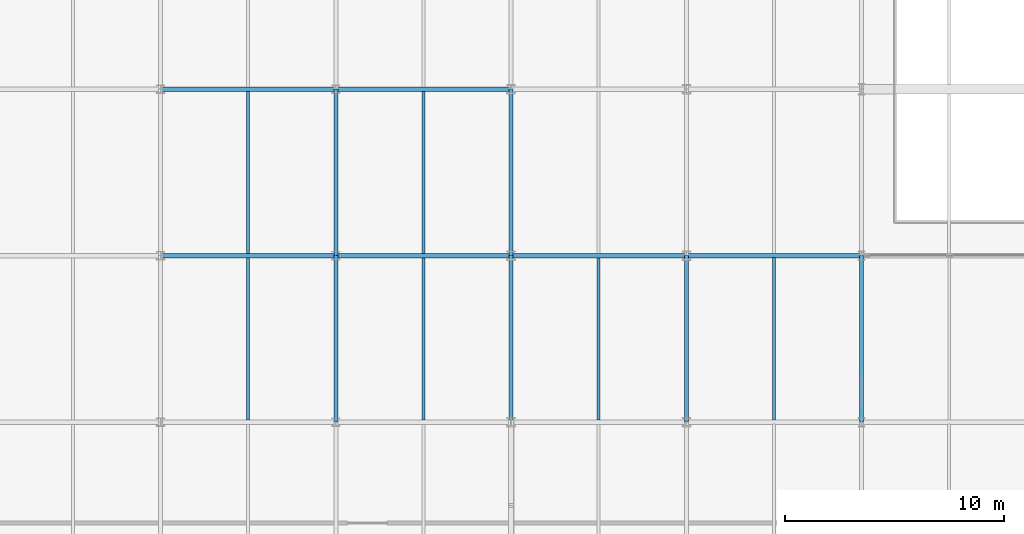
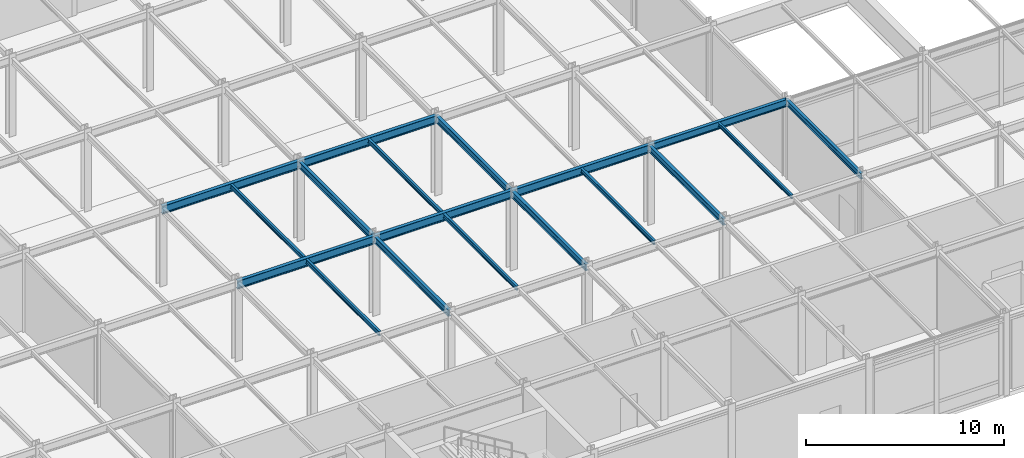
# One storey, part 24 of 79: 18 beams.
"""IFC4 building model written with IfcOpenShell, lengths in metres."""

from ifc_helpers import new_model, si_unit, direction, frame, origin, origin_2d, place, context, subcontext, project, spatial, i_section, extrude, material, material_profile, profile_set, type_object, element, save


model = new_model("IFC4")

# Units and contexts
model_context = context("Model", 3, precision=1e-05, world=origin(), true_north=direction((0.0, 1.0)))
body_context = subcontext(model_context, "Body", "Model", "MODEL_VIEW")
ifc_project = project(units=[si_unit("LENGTHUNIT", "METRE"), si_unit("AREAUNIT", "SQUARE_METRE"), si_unit("VOLUMEUNIT", "CUBIC_METRE"), si_unit("PLANEANGLEUNIT", "RADIAN"), si_unit("MASSUNIT", "GRAM", prefix="KILO")], contexts=[model_context])

# Site, building, storey
site_placement = place(None, origin())
site = spatial("IfcSite", under=ifc_project, at=site_placement, CompositionType="ELEMENT")
building_placement = place(site_placement, origin())
building = spatial("IfcBuilding", under=site, at=building_placement, Name="Shalkamar Park Central Library", CompositionType="ELEMENT")
storey_placement = place(building_placement, frame((0.0, 0.0, 10.5)))
storey = spatial("IfcBuildingStorey", under=building, at=storey_placement, Name="L03", CompositionType="ELEMENT", Elevation=10.5)

# Beams
ifc_material = material(Name="Steel S355", Category="steel")
ifc_material_profile_1 = material_profile(ifc_material, i_section(OverallWidth=0.1201171875, OverallDepth=0.239990234375, WebThickness=0.006103515625, FlangeThickness=0.009765625, FilletRadius=0.014892578125, at=origin_2d()), Name="IPE 240")
ifc_profile_set_1 = profile_set([ifc_material_profile_1], Name="Steel S355")
beam_type_1 = type_object("IfcBeamType", Name="Composite Floor Joist IPE240", PredefinedType="JOIST", material=ifc_profile_set_1)
beam_1_placement = place(storey_placement, frame((225.0, 262.89306640625, 4.719970703125), z_axis=(0.0, 1.0, 0.0), x_axis=(-1.0, 0.0, 0.0)))
element("IfcBeam", 1, at=beam_1_placement, inside=storey, type_object=beam_type_1, Name="Composite Joist 14/D-1 (L03)", PredefinedType="JOIST", context=body_context, shape_type="SweptSolid", body=[
    extrude(i_section(OverallWidth=0.1201171875, OverallDepth=0.239990234375, WebThickness=0.006103515625, FlangeThickness=0.009765625, FilletRadius=0.014892578125, at=origin_2d()), origin(), (0.0, 0.0, 1.0), 7.413818359375),
])
ifc_material_profile_2 = material_profile(ifc_material, i_section(OverallWidth=0.135009765625, OverallDepth=0.27001953125, WebThickness=0.006591796875, FlangeThickness=0.01025390625, FilletRadius=0.014892578125, at=origin_2d()), Name="IPE 270")
ifc_profile_set_2 = profile_set([ifc_material_profile_2], Name="Steel S355")
beam_type_2 = type_object("IfcBeamType", Name="Composite Floor Joist IPE270", PredefinedType="JOIST", material=ifc_profile_set_2)
for number, where, z_axis, x_axis, name in (
    (2, (201.0, 262.89794921875, 4.705078125), (0.0, 1.0, 0.0), (-1.0, 0.0, 0.0), "Composite Joist 11/D-1 (L03)"),
    (3, (201.0, 270.498046875, 4.705078125), (0.0, 1.0, 0.0), (-1.0, 0.0, 0.0), "Composite Joist 11/E-1 (L03)"),
    (4, (209.0, 262.89794921875, 4.705078125), (0.0, 1.0, 0.0), (-1.0, 0.0, 0.0), "Composite Joist 12/D-1 (L03)"),
    (5, (209.0, 270.498046875, 4.705078125), (0.0, 1.0, 0.0), (-1.0, 0.0, 0.0), "Composite Joist 12/E-1 (L03)"),
    (6, (217.0, 262.89794921875, 4.705078125), (0.0, 1.0, 0.0), (-1.0, 0.0, 0.0), "Composite Joist 13/D-1 (L03)"),
):
    element("IfcBeam", number, at=place(storey_placement, frame(where, z_axis=z_axis, x_axis=x_axis)), inside=storey, type_object=beam_type_2, Name=name, PredefinedType="JOIST", context=body_context, shape_type="SweptSolid", body=[
        extrude(i_section(OverallWidth=0.135009765625, OverallDepth=0.27001953125, WebThickness=0.006591796875, FlangeThickness=0.01025390625, FilletRadius=0.014892578125, at=origin_2d()), origin(), (0.0, 0.0, 1.0), 7.404052734375),
    ])
ifc_material_profile_3 = material_profile(ifc_material, i_section(OverallWidth=0.169921875, OverallDepth=0.360107421875, WebThickness=0.008056640625, FlangeThickness=0.0126953125, FilletRadius=0.01806640625, at=origin_2d()), Name="IPE 360")
ifc_profile_set_3 = profile_set([ifc_material_profile_3], Name="Steel S355")
beam_type_3 = type_object("IfcBeamType", Name="Primary Girder IPE360", PredefinedType="BEAM", material=ifc_profile_set_3)
beam_2_placement = place(storey_placement, frame((229.0, 262.800048828125, 4.659912109375), z_axis=(0.0, 1.0, 0.0), x_axis=(-1.0, 0.0, 0.0)))
element("IfcBeam", 7, at=beam_2_placement, inside=storey, type_object=beam_type_3, Name="Beam 15:D-E (L03)", PredefinedType="BEAM", context=body_context, shape_type="SweptSolid", body=[
    extrude(i_section(OverallWidth=0.169921875, OverallDepth=0.360107421875, WebThickness=0.008056640625, FlangeThickness=0.0126953125, FilletRadius=0.01806640625, at=origin_2d()), origin(), (0.0, 0.0, 1.0), 7.599853515625),
])
ifc_material_profile_4 = material_profile(ifc_material, i_section(OverallWidth=0.179931640625, OverallDepth=0.39990234375, WebThickness=0.008544921875, FlangeThickness=0.013427734375, FilletRadius=0.02099609375, at=origin_2d()), Name="IPE 400")
ifc_profile_set_4 = profile_set([ifc_material_profile_4], Name="Steel S355")
beam_type_4 = type_object("IfcBeamType", Name="Primary Girder IPE400", PredefinedType="BEAM", material=ifc_profile_set_4)
beam_3_placement = place(storey_placement, frame((205.0, 262.800048828125, 4.639892578125), z_axis=(0.0, 1.0, 0.0), x_axis=(-1.0, 0.0, 0.0)))
element("IfcBeam", 8, at=beam_3_placement, inside=storey, type_object=beam_type_4, Name="Beam 12:D-E (L03)", PredefinedType="BEAM", context=body_context, shape_type="SweptSolid", body=[
    extrude(i_section(OverallWidth=0.179931640625, OverallDepth=0.39990234375, WebThickness=0.008544921875, FlangeThickness=0.013427734375, FilletRadius=0.02099609375, at=origin_2d()), origin(), (0.0, 0.0, 1.0), 7.599853515625),
])
beam_4_placement = place(storey_placement, frame((205.0, 270.39990234375, 4.639892578125), z_axis=(0.0, 1.0, 0.0), x_axis=(-1.0, 0.0, 0.0)))
element("IfcBeam", 9, at=beam_4_placement, inside=storey, type_object=beam_type_4, Name="Beam 12:E-F (L03)", PredefinedType="BEAM", context=body_context, shape_type="SweptSolid", body=[
    extrude(i_section(OverallWidth=0.179931640625, OverallDepth=0.39990234375, WebThickness=0.008544921875, FlangeThickness=0.013427734375, FilletRadius=0.02099609375, at=origin_2d()), origin(), (0.0, 0.0, 1.0), 7.60009765625),
])
beam_5_placement = place(storey_placement, frame((213.0, 262.800048828125, 4.639892578125), z_axis=(0.0, 1.0, 0.0), x_axis=(-1.0, 0.0, 0.0)))
element("IfcBeam", 10, at=beam_5_placement, inside=storey, type_object=beam_type_4, Name="Beam 13:D-E (L03)", PredefinedType="BEAM", context=body_context, shape_type="SweptSolid", body=[
    extrude(i_section(OverallWidth=0.179931640625, OverallDepth=0.39990234375, WebThickness=0.008544921875, FlangeThickness=0.013427734375, FilletRadius=0.02099609375, at=origin_2d()), origin(), (0.0, 0.0, 1.0), 7.599853515625),
])
beam_6_placement = place(storey_placement, frame((213.0, 270.39990234375, 4.639892578125), z_axis=(0.0, 1.0, 0.0), x_axis=(-1.0, 0.0, 0.0)))
element("IfcBeam", 11, at=beam_6_placement, inside=storey, type_object=beam_type_4, Name="Beam 13:E-F (L03)", PredefinedType="BEAM", context=body_context, shape_type="SweptSolid", body=[
    extrude(i_section(OverallWidth=0.179931640625, OverallDepth=0.39990234375, WebThickness=0.008544921875, FlangeThickness=0.013427734375, FilletRadius=0.02099609375, at=origin_2d()), origin(), (0.0, 0.0, 1.0), 7.60009765625),
])
beam_7_placement = place(storey_placement, frame((221.0, 262.800048828125, 4.639892578125), z_axis=(0.0, 1.0, 0.0), x_axis=(-1.0, 0.0, 0.0)))
element("IfcBeam", 12, at=beam_7_placement, inside=storey, type_object=beam_type_4, Name="Beam 14:D-E (L03)", PredefinedType="BEAM", context=body_context, shape_type="SweptSolid", body=[
    extrude(i_section(OverallWidth=0.179931640625, OverallDepth=0.39990234375, WebThickness=0.008544921875, FlangeThickness=0.013427734375, FilletRadius=0.02099609375, at=origin_2d()), origin(), (0.0, 0.0, 1.0), 7.599853515625),
])
ifc_material_profile_5 = material_profile(ifc_material, i_section(OverallWidth=0.18994140625, OverallDepth=0.449951171875, WebThickness=0.009521484375, FlangeThickness=0.0146484375, FilletRadius=0.02099609375, at=origin_2d()), Name="IPE 450")
ifc_profile_set_5 = profile_set([ifc_material_profile_5], Name="Steel S355")
beam_type_5 = type_object("IfcBeamType", Name="Primary Girder IPE450", PredefinedType="BEAM", material=ifc_profile_set_5)
beam_8_placement = place(storey_placement, frame((221.0, 270.39990234375, 4.614990234375), z_axis=(1.0, 0.0, 0.0), x_axis=(0.0, 1.0, 0.0)))
element("IfcBeam", 13, at=beam_8_placement, inside=storey, type_object=beam_type_5, Name="Beam E:14-15 (L03)", PredefinedType="BEAM", context=body_context, shape_type="SweptSolid", body=[
    extrude(i_section(OverallWidth=0.18994140625, OverallDepth=0.449951171875, WebThickness=0.009521484375, FlangeThickness=0.0146484375, FilletRadius=0.02099609375, at=origin_2d()), origin(), (0.0, 0.0, 1.0), 8.0),
])
ifc_material_profile_6 = material_profile(ifc_material, i_section(OverallWidth=0.199951171875, OverallDepth=0.5, WebThickness=0.01025390625, FlangeThickness=0.01611328125, FilletRadius=0.02099609375, at=origin_2d()), Name="IPE 500")
ifc_profile_set_6 = profile_set([ifc_material_profile_6], Name="Steel S355")
beam_type_6 = type_object("IfcBeamType", Name="Primary Girder IPE500", PredefinedType="BEAM", material=ifc_profile_set_6)
for number, where, z_axis, x_axis, name in (
    (14, (197.0, 270.39990234375, 4.590087890625), (1.0, 0.0, 0.0), (0.0, 1.0, 0.0), "Beam E:11-12 (L03)"),
    (15, (205.0, 270.39990234375, 4.590087890625), (1.0, 0.0, 0.0), (0.0, 1.0, 0.0), "Beam E:12-13 (L03)"),
    (16, (213.0, 270.39990234375, 4.590087890625), (1.0, 0.0, 0.0), (0.0, 1.0, 0.0), "Beam E:13-14 (L03)"),
    (17, (197.0, 278.0, 4.590087890625), (1.0, 0.0, 0.0), (0.0, 1.0, 0.0), "Beam F:11-12 (L03)"),
    (18, (205.0, 278.0, 4.590087890625), (1.0, 0.0, 0.0), (0.0, 1.0, 0.0), "Beam F:12-13 (L03)"),
):
    element("IfcBeam", number, at=place(storey_placement, frame(where, z_axis=z_axis, x_axis=x_axis)), inside=storey, type_object=beam_type_6, Name=name, PredefinedType="BEAM", context=body_context, shape_type="SweptSolid", body=[
        extrude(i_section(OverallWidth=0.199951171875, OverallDepth=0.5, WebThickness=0.01025390625, FlangeThickness=0.01611328125, FilletRadius=0.02099609375, at=origin_2d()), origin(), (0.0, 0.0, 1.0), 8.0),
    ])

save(model, "model.ifc")
